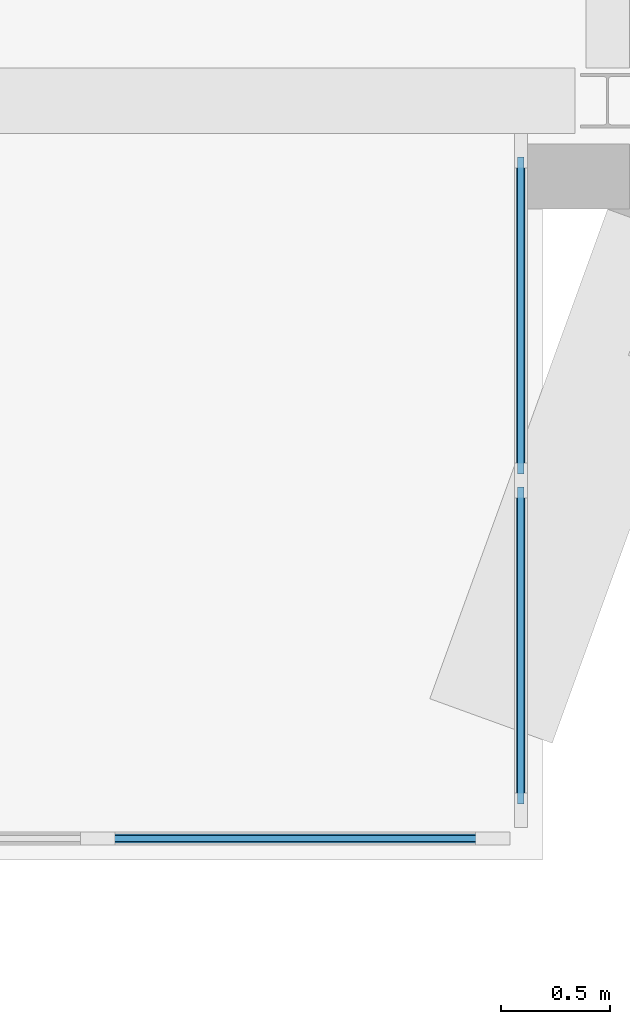
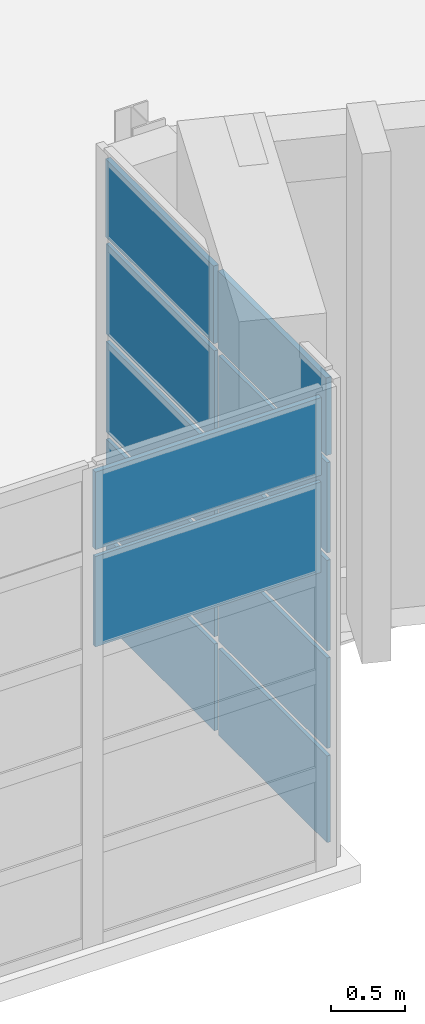
# One storey, part 45 of 88: 12 plates, 2 elements without a shape of their own.
"""IFC4 building model written with IfcOpenShell, lengths in metres."""

from ifc_helpers import new_model, si_unit, direction, frame, origin, origin_2d, place, context, subcontext, project, spatial, rectangle, extrude, material, layer, layer_set, type_object, element, aggregate, save


model = new_model("IFC4")

# Units and contexts
model_context = context("Model", 3, precision=1e-05, world=origin(), true_north=direction((0.0, 1.0)))
body_context = subcontext(model_context, "Body", "Model", "MODEL_VIEW")
ifc_project = project(units=[si_unit("LENGTHUNIT", "METRE"), si_unit("AREAUNIT", "SQUARE_METRE"), si_unit("VOLUMEUNIT", "CUBIC_METRE"), si_unit("PLANEANGLEUNIT", "RADIAN"), si_unit("MASSUNIT", "GRAM", prefix="KILO")], contexts=[model_context])

# Site, building, storey
site_placement = place(None, origin())
site = spatial("IfcSite", under=ifc_project, at=site_placement, CompositionType="ELEMENT")
building_placement = place(site_placement, origin())
building = spatial("IfcBuilding", under=site, at=building_placement, Name="Cresset Court Congress Hotel", CompositionType="ELEMENT")
storey_placement = place(building_placement, frame((0.0, 0.0, 14.39990234375)))
storey = spatial("IfcBuildingStorey", under=building, at=storey_placement, Name="L03", CompositionType="ELEMENT", Elevation=14.39990234375)

# Curtain wall, plate
ifc_material_1 = material(Name="Aluminium frame with double glazing", Category="aluminium")
ifc_layer_1 = layer(ifc_material_1, 0.199951171875)
ifc_layer_set_1 = layer_set([ifc_layer_1], Name="Glazed box curtain wall 1680 module")
curtain_wall_type = type_object("IfcCurtainWallType", Name="Glazed box curtain wall 1680 module", PredefinedType="NOTDEFINED", material=ifc_layer_set_1)
curtain_wall_1_placement = place(storey_placement, origin())
curtain_wall_1 = element("IfcCurtainWall", 1, at=curtain_wall_1_placement, inside=storey, type_object=curtain_wall_type, Name="Glazed box S0314 front", PredefinedType="NOTDEFINED")
ifc_material_2 = material(Name="Toughened double glazing", Category="glass")
ifc_layer_2 = layer(ifc_material_2, 0.028076171875)
ifc_layer_set_2 = layer_set([ifc_layer_2], Name="Box glass panel 28")
plate_type_1 = type_object("IfcPlateType", Name="Box glass panel 28", PredefinedType="CURTAIN_PANEL", material=ifc_layer_set_2)
plate_1_placement = place(storey_placement, frame((99.360107421875, -3.39990234375, 2.445068359375), z_axis=(0.0, 0.0, 1.0), x_axis=(1.0, 0.0, 0.0)))
plate_1 = element("IfcPlate", 2, at=plate_1_placement, type_object=plate_type_1, Name="B-X1 panel 4.4", PredefinedType="CURTAIN_PANEL", context=body_context, shape_type="SweptSolid", body=[
    extrude(rectangle(XDim=1.760009765625, YDim=0.028076171875, at=origin_2d()), origin(), (0.0, 0.0, 1.0), 0.7451171875),
])

# Curtain wall, plates
curtain_wall_2_placement = place(storey_placement, origin())
curtain_wall_2 = element("IfcCurtainWall", 3, at=curtain_wall_2_placement, inside=storey, type_object=curtain_wall_type, Name="Glazed box S0314 side", PredefinedType="NOTDEFINED")
plate_2_placement = place(storey_placement, frame((100.39990234375, -0.989990234375, 0.06005859375), z_axis=(0.0, 0.0, 1.0), x_axis=(0.0, -1.0, 0.0)))
plate_2 = element("IfcPlate", 4, at=plate_2_placement, type_object=plate_type_1, Name="B-X1 panel 1.1", PredefinedType="CURTAIN_PANEL", context=body_context, shape_type="SweptSolid", body=[
    extrude(rectangle(XDim=1.4599609375, YDim=0.028076171875, at=origin_2d()), origin(), (0.0, 0.0, 1.0), 0.715087890625),
])
plate_3_placement = place(storey_placement, frame((100.39990234375, -0.989990234375, 0.8349609375), z_axis=(0.0, 0.0, 1.0), x_axis=(0.0, -1.0, 0.0)))
plate_3 = element("IfcPlate", 5, at=plate_3_placement, type_object=plate_type_1, Name="B-X1 panel 1.2", PredefinedType="CURTAIN_PANEL", context=body_context, shape_type="SweptSolid", body=[
    extrude(rectangle(XDim=1.4599609375, YDim=0.028076171875, at=origin_2d()), origin(), (0.0, 0.0, 1.0), 0.7451171875),
])
plate_4_placement = place(storey_placement, frame((100.39990234375, -0.989990234375, 1.64013671875), z_axis=(0.0, 0.0, 1.0), x_axis=(0.0, -1.0, 0.0)))
plate_4 = element("IfcPlate", 6, at=plate_4_placement, type_object=plate_type_1, Name="B-X1 panel 1.3", PredefinedType="CURTAIN_PANEL", context=body_context, shape_type="SweptSolid", body=[
    extrude(rectangle(XDim=1.4599609375, YDim=0.028076171875, at=origin_2d()), origin(), (0.0, 0.0, 1.0), 0.7451171875),
])
plate_5_placement = place(storey_placement, frame((100.39990234375, -0.989990234375, 2.445068359375), z_axis=(0.0, 0.0, 1.0), x_axis=(0.0, -1.0, 0.0)))
plate_5 = element("IfcPlate", 7, at=plate_5_placement, type_object=plate_type_1, Name="B-X1 panel 1.4", PredefinedType="CURTAIN_PANEL", context=body_context, shape_type="SweptSolid", body=[
    extrude(rectangle(XDim=1.4599609375, YDim=0.028076171875, at=origin_2d()), origin(), (0.0, 0.0, 1.0), 0.7451171875),
])
plate_6_placement = place(storey_placement, frame((100.39990234375, -2.510009765625, 0.06005859375), z_axis=(0.0, 0.0, 1.0), x_axis=(0.0, -1.0, 0.0)))
plate_6 = element("IfcPlate", 8, at=plate_6_placement, type_object=plate_type_1, Name="B-X1 panel 2.1", PredefinedType="CURTAIN_PANEL", context=body_context, shape_type="SweptSolid", body=[
    extrude(rectangle(XDim=1.4599609375, YDim=0.028076171875, at=origin_2d()), origin(), (0.0, 0.0, 1.0), 0.715087890625),
])
plate_7_placement = place(storey_placement, frame((100.39990234375, -2.510009765625, 0.8349609375), z_axis=(0.0, 0.0, 1.0), x_axis=(0.0, -1.0, 0.0)))
plate_7 = element("IfcPlate", 9, at=plate_7_placement, type_object=plate_type_1, Name="B-X1 panel 2.2", PredefinedType="CURTAIN_PANEL", context=body_context, shape_type="SweptSolid", body=[
    extrude(rectangle(XDim=1.4599609375, YDim=0.028076171875, at=origin_2d()), origin(), (0.0, 0.0, 1.0), 0.7451171875),
])
plate_8_placement = place(storey_placement, frame((100.39990234375, -2.510009765625, 1.64013671875), z_axis=(0.0, 0.0, 1.0), x_axis=(0.0, -1.0, 0.0)))
plate_8 = element("IfcPlate", 10, at=plate_8_placement, type_object=plate_type_1, Name="B-X1 panel 2.3", PredefinedType="CURTAIN_PANEL", context=body_context, shape_type="SweptSolid", body=[
    extrude(rectangle(XDim=1.4599609375, YDim=0.028076171875, at=origin_2d()), origin(), (0.0, 0.0, 1.0), 0.7451171875),
])
plate_9_placement = place(storey_placement, frame((100.39990234375, -2.510009765625, 2.445068359375), z_axis=(0.0, 0.0, 1.0), x_axis=(0.0, -1.0, 0.0)))
plate_9 = element("IfcPlate", 11, at=plate_9_placement, type_object=plate_type_1, Name="B-X1 panel 2.4", PredefinedType="CURTAIN_PANEL", context=body_context, shape_type="SweptSolid", body=[
    extrude(rectangle(XDim=1.4599609375, YDim=0.028076171875, at=origin_2d()), origin(), (0.0, 0.0, 1.0), 0.7451171875),
])

# Plate
ifc_material_3 = material(Name="Insulated aluminium spandrel panel", Category="aluminium")
ifc_layer_3 = layer(ifc_material_3, 0.0400390625)
ifc_layer_set_3 = layer_set([ifc_layer_3], Name="Box spandrel panel 40")
plate_type_2 = type_object("IfcPlateType", Name="Box spandrel panel 40", PredefinedType="CURTAIN_PANEL", material=ifc_layer_set_3)
plate_10_placement = place(storey_placement, frame((99.360107421875, -3.39990234375, 3.25), z_axis=(0.0, 0.0, 1.0), x_axis=(1.0, 0.0, 0.0)))
plate_10 = element("IfcPlate", 12, at=plate_10_placement, type_object=plate_type_2, Name="B-X1 spandrel panel 4.5", PredefinedType="CURTAIN_PANEL", context=body_context, shape_type="SweptSolid", body=[
    extrude(rectangle(XDim=1.760009765625, YDim=0.0400390625, at=origin_2d()), origin(), (0.0, 0.0, 1.0), 0.639892578125),
])

aggregate(curtain_wall_1, [plate_1, plate_10])

plate_11_placement = place(storey_placement, frame((100.39990234375, -0.989990234375, 3.25), z_axis=(0.0, 0.0, 1.0), x_axis=(0.0, -1.0, 0.0)))
plate_11 = element("IfcPlate", 13, at=plate_11_placement, type_object=plate_type_2, Name="B-X1 spandrel panel 1.5", PredefinedType="CURTAIN_PANEL", context=body_context, shape_type="SweptSolid", body=[
    extrude(rectangle(XDim=1.4599609375, YDim=0.0400390625, at=origin_2d()), origin(), (0.0, 0.0, 1.0), 0.639892578125),
])

plate_12_placement = place(storey_placement, frame((100.39990234375, -2.510009765625, 3.25), z_axis=(0.0, 0.0, 1.0), x_axis=(0.0, -1.0, 0.0)))
plate_12 = element("IfcPlate", 14, at=plate_12_placement, type_object=plate_type_2, Name="B-X1 spandrel panel 2.5", PredefinedType="CURTAIN_PANEL", context=body_context, shape_type="SweptSolid", body=[
    extrude(rectangle(XDim=1.4599609375, YDim=0.0400390625, at=origin_2d()), origin(), (0.0, 0.0, 1.0), 0.639892578125),
])

aggregate(curtain_wall_2, [plate_2, plate_3, plate_4, plate_5, plate_11, plate_6, plate_7, plate_8, plate_9, plate_12])

save(model, "model.ifc")
